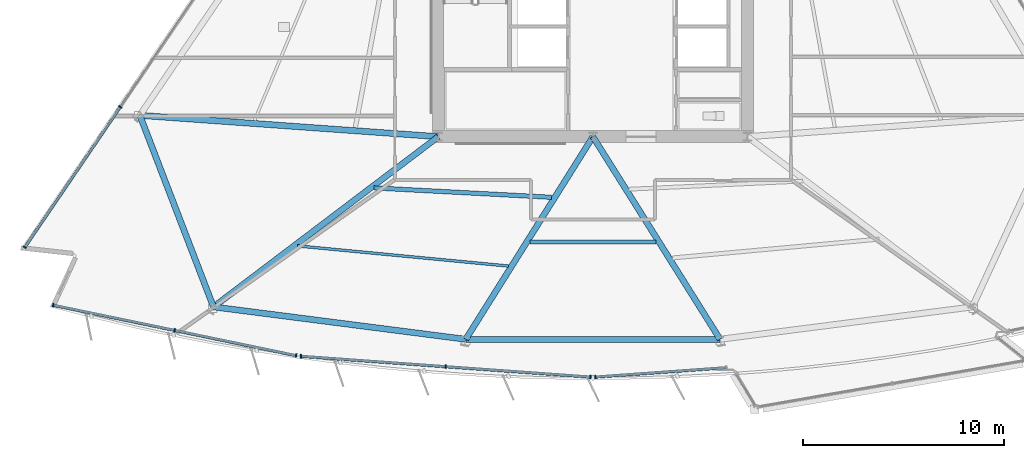
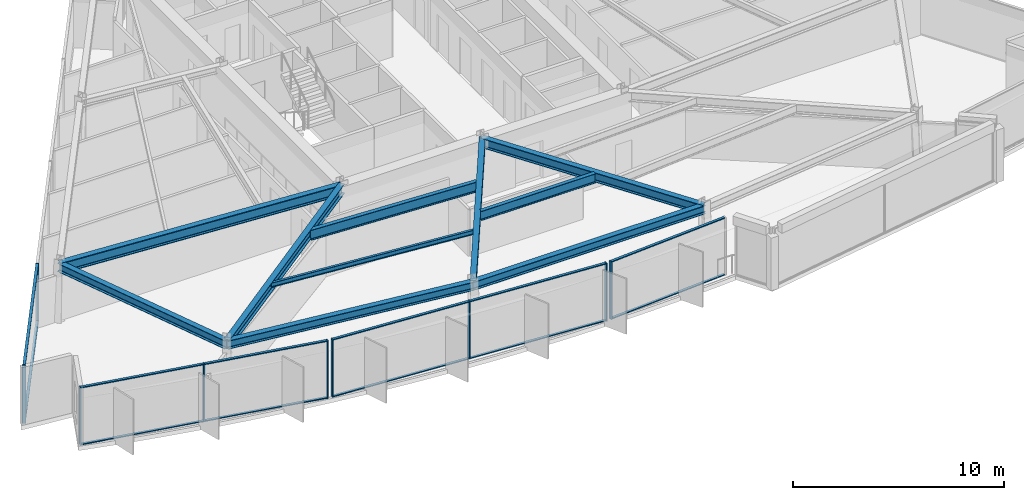
# One storey, part 2 of 15: 21 members, 10 beams, 4 elements without a shape of their own.
"""IFC4 building model written with IfcOpenShell, lengths in metres."""

from ifc_helpers import new_model, si_unit, direction, frame, origin, origin_2d, place, context, subcontext, project, spatial, rectangle, i_section, extrude, material, material_profile, profile_set, type_object, element, aggregate, save


model = new_model("IFC4")

# Units and contexts
model_context = context("Model", 3, precision=1e-05, world=origin(), true_north=direction((0.0, 1.0)))
body_context = subcontext(model_context, "Body", "Model", "MODEL_VIEW")
ifc_project = project(units=[si_unit("LENGTHUNIT", "METRE"), si_unit("AREAUNIT", "SQUARE_METRE"), si_unit("VOLUMEUNIT", "CUBIC_METRE"), si_unit("PLANEANGLEUNIT", "RADIAN"), si_unit("MASSUNIT", "GRAM", prefix="KILO")], contexts=[model_context])

# Site, building, storey
site_placement = place(None, origin())
site = spatial("IfcSite", under=ifc_project, at=site_placement, CompositionType="ELEMENT")
building_placement = place(site_placement, origin())
building = spatial("IfcBuilding", under=site, at=building_placement, Name="Savorim Split Tower", CompositionType="ELEMENT")
storey_placement = place(building_placement, frame((0.0, 0.0, 96.89990234375)))
storey = spatial("IfcBuildingStorey", under=building, at=storey_placement, Name="L25", CompositionType="ELEMENT", Elevation=96.89990234375)

# Beams
ifc_material_1 = material(Name="Steel S355", Category="steel")
ifc_material_profile_1 = material_profile(ifc_material_1, i_section(OverallWidth=0.135009765625, OverallDepth=0.27001953125, WebThickness=0.006591796875, FlangeThickness=0.01025390625, FilletRadius=0.014892578125, at=origin_2d()), Name="IPE 270")
ifc_profile_set_1 = profile_set([ifc_material_profile_1], Name="Steel S355")
beam_type_1 = type_object("IfcBeamType", Name="BM-JST-IPE270", PredefinedType="JOIST", material=ifc_profile_set_1)
beam_1_placement = place(storey_placement, frame((-14.708251953125, -14.841552734375, 3.215087890625), z_axis=(0.995473798737, -0.09503639318, 0.0), x_axis=(0.09503639318, 0.995473798737, 0.0)))
element("IfcBeam", 1, at=beam_1_placement, inside=storey, type_object=beam_type_1, Name="L25 Secondary Floor Joist JS-01", PredefinedType="JOIST", context=body_context, shape_type="SweptSolid", body=[
    extrude(i_section(OverallWidth=0.135009765625, OverallDepth=0.27001953125, WebThickness=0.006591796875, FlangeThickness=0.01025390625, FilletRadius=0.014892578125, at=origin_2d()), origin(), (0.0, 0.0, 1.0), 10.542724609375),
])
ifc_material_profile_2 = material_profile(ifc_material_1, i_section(OverallWidth=0.2099609375, OverallDepth=0.550048828125, WebThickness=0.010986328125, FlangeThickness=0.01708984375, FilletRadius=0.02392578125, at=origin_2d()), Name="IPE 550")
ifc_profile_set_2 = profile_set([ifc_material_profile_2], Name="Steel S355")
beam_type_2 = type_object("IfcBeamType", Name="BM-JST-IPE550", PredefinedType="JOIST", material=ifc_profile_set_2)
beam_2_placement = place(storey_placement, frame((-3.1337890625, -14.647705078125, 3.0751953125), z_axis=(1.0, 0.0, 0.0), x_axis=(0.0, 1.0, 0.0)))
element("IfcBeam", 2, at=beam_2_placement, inside=storey, type_object=beam_type_2, Name="L25 Secondary Floor Joist JS-03", PredefinedType="JOIST", context=body_context, shape_type="SweptSolid", body=[
    extrude(i_section(OverallWidth=0.2099609375, OverallDepth=0.550048828125, WebThickness=0.010986328125, FlangeThickness=0.01708984375, FilletRadius=0.02392578125, at=origin_2d()), origin(), (0.0, 0.0, 1.0), 6.267578125),
])
ifc_material_profile_3 = material_profile(ifc_material_1, i_section(OverallWidth=0.219970703125, OverallDepth=0.60009765625, WebThickness=0.011962890625, FlangeThickness=0.01904296875, FilletRadius=0.02392578125, at=origin_2d()), Name="IPE 600")
ifc_profile_set_3 = profile_set([ifc_material_profile_3], Name="Steel S355")
beam_type_3 = type_object("IfcBeamType", Name="BM-JST-IPE600", PredefinedType="JOIST", material=ifc_profile_set_3)
beam_3_placement = place(storey_placement, frame((-10.89990234375, -11.951904296875, 3.050048828125), z_axis=(0.998605765593, -0.052787545165, 0.0), x_axis=(0.052787545165, 0.998605765593, 0.0)))
element("IfcBeam", 3, at=beam_3_placement, inside=storey, type_object=beam_type_3, Name="L25 Secondary Floor Joist JS-02", PredefinedType="JOIST", context=body_context, shape_type="SweptSolid", body=[
    extrude(i_section(OverallWidth=0.219970703125, OverallDepth=0.60009765625, WebThickness=0.011962890625, FlangeThickness=0.01904296875, FilletRadius=0.02392578125, at=origin_2d()), origin(), (0.0, 0.0, 1.0), 8.852294921875),
])
ifc_material_profile_4 = material_profile(ifc_material_1, i_section(OverallWidth=0.300048828125, OverallDepth=0.550048828125, WebThickness=0.014892578125, FlangeThickness=0.029052734375, FilletRadius=0.027099609375, at=origin_2d()), Name="HEB 550")
ifc_profile_set_4 = profile_set([ifc_material_profile_4], Name="Steel S355")
beam_type_4 = type_object("IfcBeamType", Name="BM-PRI-HEB550", PredefinedType="BEAM", material=ifc_profile_set_4)
beam_4_placement = place(storey_placement, frame((-18.8994140625, -17.878662109375, 3.0751953125), z_axis=(0.797286798606, 0.603600663327, 0.0), x_axis=(-0.603600663327, 0.797286798606, 0.0)))
element("IfcBeam", 4, at=beam_4_placement, inside=storey, type_object=beam_type_4, Name="L25 Primary Floor Girder RG-01", PredefinedType="BEAM", context=body_context, shape_type="SweptSolid", body=[
    extrude(i_section(OverallWidth=0.300048828125, OverallDepth=0.550048828125, WebThickness=0.014892578125, FlangeThickness=0.029052734375, FilletRadius=0.027099609375, at=origin_2d()), origin(), (0.0, 0.0, 1.0), 14.046875),
])
for number, where, z_axis, x_axis, name in (
    (5, (-6.333984375, -19.49169921875, 3.0751953125), (0.531604071838, 0.846992981556, 0.0), (-0.846992981556, 0.531604071838, 0.0), "L25 Primary Floor Girder RG-02"),
    (6, (6.333984375, -19.49169921875, 3.0751953125), (-0.531604071838, 0.846992981556, 0.0), (-0.846992981556, -0.531604071838, 0.0), "L25 Primary Floor Girder RG-03"),
):
    element("IfcBeam", number, at=place(storey_placement, frame(where, z_axis=z_axis, x_axis=x_axis)), inside=storey, type_object=beam_type_4, Name=name, PredefinedType="BEAM", context=body_context, shape_type="SweptSolid", body=[
        extrude(i_section(OverallWidth=0.300048828125, OverallDepth=0.550048828125, WebThickness=0.014892578125, FlangeThickness=0.029052734375, FilletRadius=0.027099609375, at=origin_2d()), origin(), (0.0, 0.0, 1.0), 11.914794921875),
    ])
ifc_material_2 = material(Name="Steel S460", Category="steel")
ifc_material_profile_5 = material_profile(ifc_material_2, i_section(OverallWidth=0.304931640625, OverallDepth=0.6201171875, WebThickness=0.02099609375, FlangeThickness=0.0400390625, FilletRadius=0.027099609375, at=origin_2d()), Name="HE 600 M")
ifc_profile_set_5 = profile_set([ifc_material_profile_5], Name="Steel S460")
beam_type_5 = type_object("IfcBeamType", Name="BM-PRI-HEM600", PredefinedType="BEAM", material=ifc_profile_set_5)
beam_5_placement = place(storey_placement, frame((-22.567138671875, -8.337646484375, 3.0400390625), z_axis=(0.99745720299, -0.071268002664, 0.0), x_axis=(0.071268002664, 0.99745720299, 0.0)))
element("IfcBeam", 7, at=beam_5_placement, inside=storey, type_object=beam_type_5, Name="L25 Primary Floor Girder RG-10", PredefinedType="BEAM", context=body_context, shape_type="SweptSolid", body=[
    extrude(i_section(OverallWidth=0.304931640625, OverallDepth=0.6201171875, WebThickness=0.02099609375, FlangeThickness=0.0400390625, FilletRadius=0.027099609375, at=origin_2d()), origin(), (0.0, 0.0, 1.0), 14.905029296875),
])
ifc_material_profile_6 = material_profile(ifc_material_1, i_section(OverallWidth=0.300048828125, OverallDepth=0.489990234375, WebThickness=0.011962890625, FlangeThickness=0.02294921875, FilletRadius=0.027099609375, at=origin_2d()), Name="HEA 500")
ifc_profile_set_6 = profile_set([ifc_material_profile_6], Name="Steel S355")
beam_type_6 = type_object("IfcBeamType", Name="BM-SPN-HEA500", PredefinedType="SPANDREL", material=ifc_profile_set_6)
beam_6_placement = place(storey_placement, frame((-18.8994140625, -17.878662109375, 3.10498046875), z_axis=(0.991860896691, -0.127326201609, 0.0), x_axis=(0.127326201609, 0.991860896691, 0.0)))
element("IfcBeam", 8, at=beam_6_placement, inside=storey, type_object=beam_type_6, Name="L25 Perimeter Spandrel Beam 1", PredefinedType="SPANDREL", context=body_context, shape_type="SweptSolid", body=[
    extrude(i_section(OverallWidth=0.300048828125, OverallDepth=0.489990234375, WebThickness=0.011962890625, FlangeThickness=0.02294921875, FilletRadius=0.027099609375, at=origin_2d()), origin(), (0.0, 0.0, 1.0), 12.66845703125),
])
beam_7_placement = place(storey_placement, frame((-6.333984375, -19.49169921875, 3.10498046875), z_axis=(1.0, 0.0, 0.0), x_axis=(0.0, 1.0, 0.0)))
element("IfcBeam", 9, at=beam_7_placement, inside=storey, type_object=beam_type_6, Name="L25 Perimeter Spandrel Beam 2", PredefinedType="SPANDREL", context=body_context, shape_type="SweptSolid", body=[
    extrude(i_section(OverallWidth=0.300048828125, OverallDepth=0.489990234375, WebThickness=0.011962890625, FlangeThickness=0.02294921875, FilletRadius=0.027099609375, at=origin_2d()), origin(), (0.0, 0.0, 1.0), 12.66796875),
])
beam_8_placement = place(storey_placement, frame((-22.567138671875, -8.337646484375, 3.10498046875), z_axis=(0.358817422383, -0.933407765874, 0.0), x_axis=(0.933407765874, 0.358817422383, 0.0)))
element("IfcBeam", 10, at=beam_8_placement, inside=storey, type_object=beam_type_6, Name="L25 Perimeter Spandrel Beam 10", PredefinedType="SPANDREL", context=body_context, shape_type="SweptSolid", body=[
    extrude(i_section(OverallWidth=0.300048828125, OverallDepth=0.489990234375, WebThickness=0.011962890625, FlangeThickness=0.02294921875, FilletRadius=0.027099609375, at=origin_2d()), origin(), (0.0, 0.0, 1.0), 10.2216796875),
])

# Curtain wall, members
ifc_material_3 = material(Name="Dark Ceramic-Fritted Insulated Glass", Category="glass")
curtain_wall_type = type_object("IfcCurtainWallType", Name="CW-TWR-FRIT-A", PredefinedType="NOTDEFINED", material=ifc_material_3)
curtain_wall_1_placement = place(storey_placement, origin())
curtain_wall_1 = element("IfcCurtainWall", 11, at=curtain_wall_1_placement, inside=storey, type_object=curtain_wall_type, Name="L25 Curtain Wall CW-L25-SF1A", PredefinedType="NOTDEFINED")
ifc_material_4 = material(Name="Charcoal Anodised Aluminium", Category="aluminium")
ifc_material_profile_7 = material_profile(ifc_material_4, rectangle(XDim=0.179931640625, YDim=0.06494140625, at=origin_2d()), Name="ALU-M 180x65")
ifc_profile_set_7 = profile_set([ifc_material_profile_7], Name="Charcoal Anodised Aluminium")
member_type_1 = type_object("IfcMemberType", Name="CWM-180x65", PredefinedType="MULLION", material=ifc_profile_set_7)
member_1_placement = place(storey_placement, frame((-26.882568359375, -17.792724609375, 0.0), z_axis=(0.0, 0.0, 1.0), x_axis=(0.203212378529, 0.979134683898, 0.0)))
member_1 = element("IfcMember", 12, at=member_1_placement, type_object=member_type_1, Name="CW-02 mullion 1", PredefinedType="MULLION", context=body_context, shape_type="SweptSolid", body=[
    extrude(rectangle(XDim=0.179931640625, YDim=0.06494140625, at=origin_2d()), origin(), (0.0, 0.0, 1.0), 3.35009765625),
])
member_2_placement = place(storey_placement, frame((-20.83447265625, -19.0478515625, 0.0), z_axis=(0.0, 0.0, 1.0), x_axis=(0.203212378529, 0.979134683898, 0.0)))
member_2 = element("IfcMember", 13, at=member_2_placement, type_object=member_type_1, Name="CW-02 mullion 2", PredefinedType="MULLION", context=body_context, shape_type="SweptSolid", body=[
    extrude(rectangle(XDim=0.179931640625, YDim=0.06494140625, at=origin_2d()), origin(), (0.0, 0.0, 1.0), 3.35009765625),
])
member_3_placement = place(storey_placement, frame((-14.786376953125, -20.302978515625, 0.0), z_axis=(0.0, 0.0, 1.0), x_axis=(0.203212378529, 0.979134683898, 0.0)))
member_3 = element("IfcMember", 14, at=member_3_placement, type_object=member_type_1, Name="CW-02 mullion 3", PredefinedType="MULLION", context=body_context, shape_type="SweptSolid", body=[
    extrude(rectangle(XDim=0.179931640625, YDim=0.06494140625, at=origin_2d()), origin(), (0.0, 0.0, 1.0), 3.35009765625),
])

curtain_wall_2_placement = place(storey_placement, origin())
curtain_wall_2 = element("IfcCurtainWall", 15, at=curtain_wall_2_placement, inside=storey, type_object=curtain_wall_type, Name="L25 Curtain Wall CW-L25-SF2A", PredefinedType="NOTDEFINED")
member_4_placement = place(storey_placement, frame((-14.540283203125, -20.33740234375, 0.0), z_axis=(0.0, 0.0, 1.0), x_axis=(0.071562268211, 0.99743613418, 0.0)))
member_4 = element("IfcMember", 16, at=member_4_placement, type_object=member_type_1, Name="CW-02 mullion 1", PredefinedType="MULLION", context=body_context, shape_type="SweptSolid", body=[
    extrude(rectangle(XDim=0.179931640625, YDim=0.06494140625, at=origin_2d()), origin(), (0.0, 0.0, 1.0), 3.35009765625),
])
member_5_placement = place(storey_placement, frame((-7.33203125, -20.8544921875, 0.0), z_axis=(0.0, 0.0, 1.0), x_axis=(0.071562268211, 0.99743613418, 0.0)))
member_5 = element("IfcMember", 17, at=member_5_placement, type_object=member_type_1, Name="CW-02 mullion 2", PredefinedType="MULLION", context=body_context, shape_type="SweptSolid", body=[
    extrude(rectangle(XDim=0.179931640625, YDim=0.06494140625, at=origin_2d()), origin(), (0.0, 0.0, 1.0), 3.35009765625),
])
member_6_placement = place(storey_placement, frame((-0.12353515625, -21.37158203125, 0.0), z_axis=(0.0, 0.0, 1.0), x_axis=(0.071562268211, 0.99743613418, 0.0)))
member_6 = element("IfcMember", 18, at=member_6_placement, type_object=member_type_1, Name="CW-02 mullion 3", PredefinedType="MULLION", context=body_context, shape_type="SweptSolid", body=[
    extrude(rectangle(XDim=0.179931640625, YDim=0.06494140625, at=origin_2d()), origin(), (0.0, 0.0, 1.0), 3.35009765625),
])

# Curtain wall, member
curtain_wall_3_placement = place(storey_placement, origin())
curtain_wall_3 = element("IfcCurtainWall", 19, at=curtain_wall_3_placement, inside=storey, type_object=curtain_wall_type, Name="L25 Curtain Wall CW-L25-SF3A", PredefinedType="NOTDEFINED")
member_7_placement = place(storey_placement, frame((0.12353515625, -21.37158203125, 0.0), z_axis=(0.0, 0.0, 1.0), x_axis=(-0.071568692624, 0.997435673232, 0.0)))
member_7 = element("IfcMember", 20, at=member_7_placement, type_object=member_type_1, Name="CW-02 mullion 1", PredefinedType="MULLION", context=body_context, shape_type="SweptSolid", body=[
    extrude(rectangle(XDim=0.179931640625, YDim=0.06494140625, at=origin_2d()), origin(), (0.0, 0.0, 1.0), 3.35009765625),
])

# Curtain wall, members
curtain_wall_4_placement = place(storey_placement, origin())
curtain_wall_4 = element("IfcCurtainWall", 21, at=curtain_wall_4_placement, inside=storey, type_object=curtain_wall_type, Name="L25 Curtain Wall CW-L25-WEST", PredefinedType="NOTDEFINED")
member_8_placement = place(storey_placement, frame((-23.539306640625, -7.917236328125, 0.0), z_axis=(0.0, 0.0, 1.0), x_axis=(0.826819383915, -0.562467515846, 0.0)))
member_8 = element("IfcMember", 22, at=member_8_placement, type_object=member_type_1, Name="CW-02 mullion 4", PredefinedType="MULLION", context=body_context, shape_type="SweptSolid", body=[
    extrude(rectangle(XDim=0.179931640625, YDim=0.06494140625, at=origin_2d()), origin(), (0.0, 0.0, 1.0), 3.35009765625),
])
member_9_placement = place(storey_placement, frame((-28.294921875, -14.908203125, 0.0), z_axis=(0.0, 0.0, 1.0), x_axis=(0.826819383915, -0.562467515846, 0.0)))
member_9 = element("IfcMember", 23, at=member_9_placement, type_object=member_type_1, Name="CW-02 mullion 5", PredefinedType="MULLION", context=body_context, shape_type="SweptSolid", body=[
    extrude(rectangle(XDim=0.179931640625, YDim=0.06494140625, at=origin_2d()), origin(), (0.0, 0.0, 1.0), 3.35009765625),
])

# Member
ifc_material_profile_8 = material_profile(ifc_material_4, rectangle(XDim=0.139892578125, YDim=0.054931640625, at=origin_2d()), Name="ALU-T 140x55")
ifc_profile_set_8 = profile_set([ifc_material_profile_8], Name="Charcoal Anodised Aluminium")
member_type_2 = type_object("IfcMemberType", Name="CWT-140x55", PredefinedType="USERDEFINED", material=ifc_profile_set_8)
member_10_placement = place(storey_placement, frame((-26.850830078125, -17.79931640625, 0.027587890625), z_axis=(0.979136986613, -0.203201283082, 0.0), x_axis=(0.203201283082, 0.979136986613, 0.0)))
member_10 = element("IfcMember", 24, at=member_10_placement, type_object=member_type_2, Name="CW-02 transom 1.1", ObjectType="TRANSOM", PredefinedType="USERDEFINED", context=body_context, shape_type="SweptSolid", body=[
    extrude(rectangle(XDim=0.139892578125, YDim=0.054931640625, at=origin_2d()), origin(), (0.0, 0.0, 1.0), 6.11181640625),
])

member_11_placement = place(storey_placement, frame((-26.850830078125, -17.79931640625, 3.322509765625), z_axis=(0.979136986613, -0.203201283082, 0.0), x_axis=(0.203201283082, 0.979136986613, 0.0)))
member_11 = element("IfcMember", 25, at=member_11_placement, type_object=member_type_2, Name="CW-02 transom 1.2", ObjectType="TRANSOM", PredefinedType="USERDEFINED", context=body_context, shape_type="SweptSolid", body=[
    extrude(rectangle(XDim=0.139892578125, YDim=0.054931640625, at=origin_2d()), origin(), (0.0, 0.0, 1.0), 6.11181640625),
])

member_12_placement = place(storey_placement, frame((-20.802734375, -19.054443359375, 0.027587890625), z_axis=(0.979136986613, -0.203201283082, 0.0), x_axis=(0.203201283082, 0.979136986613, 0.0)))
member_12 = element("IfcMember", 26, at=member_12_placement, type_object=member_type_2, Name="CW-02 transom 2.1", ObjectType="TRANSOM", PredefinedType="USERDEFINED", context=body_context, shape_type="SweptSolid", body=[
    extrude(rectangle(XDim=0.139892578125, YDim=0.054931640625, at=origin_2d()), origin(), (0.0, 0.0, 1.0), 6.11181640625),
])

member_13_placement = place(storey_placement, frame((-20.802734375, -19.054443359375, 3.322509765625), z_axis=(0.979136986613, -0.203201283082, 0.0), x_axis=(0.203201283082, 0.979136986613, 0.0)))
member_13 = element("IfcMember", 27, at=member_13_placement, type_object=member_type_2, Name="CW-02 transom 2.2", ObjectType="TRANSOM", PredefinedType="USERDEFINED", context=body_context, shape_type="SweptSolid", body=[
    extrude(rectangle(XDim=0.139892578125, YDim=0.054931640625, at=origin_2d()), origin(), (0.0, 0.0, 1.0), 6.11181640625),
])

aggregate(curtain_wall_1, [member_1, member_2, member_3, member_10, member_11, member_12, member_13])

member_14_placement = place(storey_placement, frame((-14.508056640625, -20.339599609375, 0.027587890625), z_axis=(0.997434416722, -0.071586202157, 0.0), x_axis=(0.071586202157, 0.997434416722, 0.0)))
member_14 = element("IfcMember", 28, at=member_14_placement, type_object=member_type_2, Name="CW-02 transom 1.1", ObjectType="TRANSOM", PredefinedType="USERDEFINED", context=body_context, shape_type="SweptSolid", body=[
    extrude(rectangle(XDim=0.139892578125, YDim=0.054931640625, at=origin_2d()), origin(), (0.0, 0.0, 1.0), 7.161865234375),
])

member_15_placement = place(storey_placement, frame((-14.508056640625, -20.339599609375, 3.322509765625), z_axis=(0.997434416722, -0.071586202157, 0.0), x_axis=(0.071586202157, 0.997434416722, 0.0)))
member_15 = element("IfcMember", 29, at=member_15_placement, type_object=member_type_2, Name="CW-02 transom 1.2", ObjectType="TRANSOM", PredefinedType="USERDEFINED", context=body_context, shape_type="SweptSolid", body=[
    extrude(rectangle(XDim=0.139892578125, YDim=0.054931640625, at=origin_2d()), origin(), (0.0, 0.0, 1.0), 7.161865234375),
])

member_16_placement = place(storey_placement, frame((-7.299560546875, -20.85693359375, 0.027587890625), z_axis=(0.997436850168, -0.071552288055, 0.0), x_axis=(0.071552288055, 0.997436850168, 0.0)))
member_16 = element("IfcMember", 30, at=member_16_placement, type_object=member_type_2, Name="CW-02 transom 2.1", ObjectType="TRANSOM", PredefinedType="USERDEFINED", context=body_context, shape_type="SweptSolid", body=[
    extrude(rectangle(XDim=0.139892578125, YDim=0.054931640625, at=origin_2d()), origin(), (0.0, 0.0, 1.0), 7.161865234375),
])

member_17_placement = place(storey_placement, frame((-7.299560546875, -20.85693359375, 3.322509765625), z_axis=(0.997436850168, -0.071552288055, 0.0), x_axis=(0.071552288055, 0.997436850168, 0.0)))
member_17 = element("IfcMember", 31, at=member_17_placement, type_object=member_type_2, Name="CW-02 transom 2.2", ObjectType="TRANSOM", PredefinedType="USERDEFINED", context=body_context, shape_type="SweptSolid", body=[
    extrude(rectangle(XDim=0.139892578125, YDim=0.054931640625, at=origin_2d()), origin(), (0.0, 0.0, 1.0), 7.161865234375),
])

aggregate(curtain_wall_2, [member_4, member_5, member_6, member_14, member_15, member_16, member_17])

member_18_placement = place(storey_placement, frame((0.156005859375, -21.369384765625, 0.027587890625), z_axis=(0.997434339448, 0.071587278832, 0.0), x_axis=(-0.071587278832, 0.997434339448, 0.0)))
member_18 = element("IfcMember", 32, at=member_18_placement, type_object=member_type_2, Name="CW-02 transom 1.1", ObjectType="TRANSOM", PredefinedType="USERDEFINED", context=body_context, shape_type="SweptSolid", body=[
    extrude(rectangle(XDim=0.139892578125, YDim=0.054931640625, at=origin_2d()), origin(), (0.0, 0.0, 1.0), 6.476318359375),
])

member_19_placement = place(storey_placement, frame((0.156005859375, -21.369384765625, 3.322509765625), z_axis=(0.997434339448, 0.071587278832, 0.0), x_axis=(-0.071587278832, 0.997434339448, 0.0)))
member_19 = element("IfcMember", 33, at=member_19_placement, type_object=member_type_2, Name="CW-02 transom 1.2", ObjectType="TRANSOM", PredefinedType="USERDEFINED", context=body_context, shape_type="SweptSolid", body=[
    extrude(rectangle(XDim=0.139892578125, YDim=0.054931640625, at=origin_2d()), origin(), (0.0, 0.0, 1.0), 6.476318359375),
])

aggregate(curtain_wall_3, [member_7, member_18, member_19])

member_20_placement = place(storey_placement, frame((-23.5576171875, -7.9443359375, 0.027587890625), z_axis=(-0.562478744219, -0.826811745382, 0.0), x_axis=(0.826811745382, -0.562478744219, 0.0)))
member_20 = element("IfcMember", 34, at=member_20_placement, type_object=member_type_2, Name="CW-02 transom 4.1", ObjectType="TRANSOM", PredefinedType="USERDEFINED", context=body_context, shape_type="SweptSolid", body=[
    extrude(rectangle(XDim=0.139892578125, YDim=0.054931640625, at=origin_2d()), origin(), (0.0, 0.0, 1.0), 8.39013671875),
])

member_21_placement = place(storey_placement, frame((-23.5576171875, -7.9443359375, 3.322509765625), z_axis=(-0.562478744219, -0.826811745382, 0.0), x_axis=(0.826811745382, -0.562478744219, 0.0)))
member_21 = element("IfcMember", 35, at=member_21_placement, type_object=member_type_2, Name="CW-02 transom 4.2", ObjectType="TRANSOM", PredefinedType="USERDEFINED", context=body_context, shape_type="SweptSolid", body=[
    extrude(rectangle(XDim=0.139892578125, YDim=0.054931640625, at=origin_2d()), origin(), (0.0, 0.0, 1.0), 8.39013671875),
])

aggregate(curtain_wall_4, [member_8, member_9, member_20, member_21])

save(model, "model.ifc")
